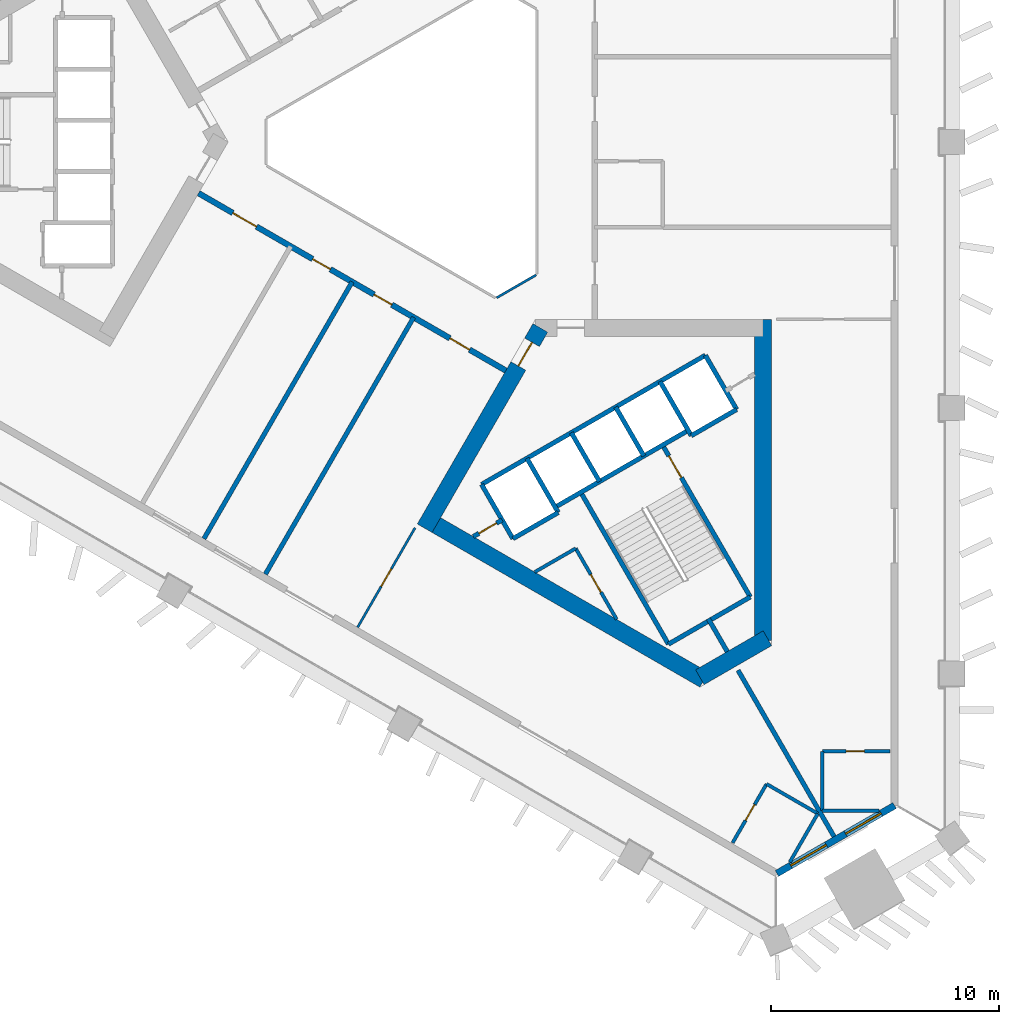
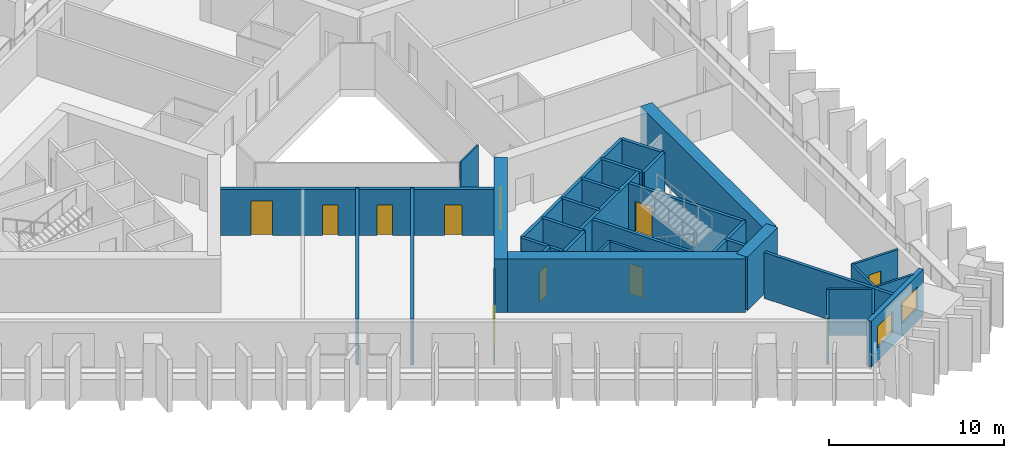
# One storey, part 3 of 11: 34 walls, 11 doors, 2 windows, 13 openings.
"""IFC4 building model written with IfcOpenShell, lengths in metres."""

from ifc_helpers import new_model, si_unit, direction, frame, frame_2d, origin, place, context, subcontext, project, spatial, rectangle, extrude, material, layer, layer_set, type_object, element, fill, save


model = new_model("IFC4")

# Units and contexts
model_context = context("Model", 3, precision=1e-05, world=origin(), true_north=direction((0.0, 1.0)))
body_context = subcontext(model_context, "Body", "Model", "MODEL_VIEW")
ifc_project = project(units=[si_unit("LENGTHUNIT", "METRE"), si_unit("AREAUNIT", "SQUARE_METRE"), si_unit("VOLUMEUNIT", "CUBIC_METRE"), si_unit("PLANEANGLEUNIT", "RADIAN"), si_unit("MASSUNIT", "GRAM", prefix="KILO")], contexts=[model_context])

# Site, building, storey
site_placement = place(None, origin())
site = spatial("IfcSite", under=ifc_project, at=site_placement, CompositionType="ELEMENT")
building_placement = place(site_placement, origin())
building = spatial("IfcBuilding", under=site, at=building_placement, Name="Jabali Bay Hotel Tower and Convention Centre", CompositionType="ELEMENT")
storey_placement = place(building_placement, frame((0.0, 0.0, 90.60009765625)))
storey = spatial("IfcBuildingStorey", under=building, at=storey_placement, Name="L21", CompositionType="ELEMENT", Elevation=90.60009765625)

# Walls
ifc_material_1 = material(Name="Fire-resistant glazing", Category="glass")
ifc_layer_1 = layer(ifc_material_1, 0.10009765625)
ifc_layer_set_1 = layer_set([ifc_layer_1], Name="Fire-resistant glazing")
wall_type_1 = type_object("IfcWallType", Name="Atrium glazed screen 100", PredefinedType="PARTITIONING", material=ifc_layer_set_1)
wall_1_placement = place(storey_placement, frame((77.7978515625, 73.15380859375, 0.0), z_axis=(0.0, 0.0, 1.0), x_axis=(0.866041268327, 0.499972520799, 0.0)))
element("IfcWall", 1, at=wall_1_placement, inside=storey, type_object=wall_type_1, Name="Atrium screen 6 L21", PredefinedType="PARTITIONING", context=body_context, shape_type="SweptSolid", body=[
    extrude(rectangle(XDim=2.0, YDim=0.10009765625, at=frame_2d((1.0, 0.0))), origin(), (0.0, 0.0, 1.0), 3.199951171875),
])
ifc_material_2 = material(Name="Concrete C40", Category="concrete")
ifc_layer_2 = layer(ifc_material_2, 0.199951171875)
ifc_layer_set_2 = layer_set([ifc_layer_2], Name="Concrete C40")
wall_type_2 = type_object("IfcWallType", Name="Core partition wall 200", PredefinedType="PARTITIONING", material=ifc_layer_set_2)
wall_2_placement = place(storey_placement, frame((87.090087890625, 59.0595703125, 0.0), z_axis=(0.0, 0.0, 1.0), x_axis=(0.499937194881, -0.866061661301, 0.0)))
element("IfcWall", 2, at=wall_2_placement, inside=storey, type_object=wall_type_2, Name="Core wall 2.5 L21", PredefinedType="PARTITIONING", context=body_context, shape_type="SweptSolid", body=[
    extrude(rectangle(XDim=1.673095703125, YDim=0.199951171875, at=frame_2d((0.83642578125, 0.0))), origin(), (0.0, 0.0, 1.0), 3.199951171875),
])

# Wall, opening, door
wall_3_placement = place(storey_placement, frame((76.77001953125, 62.662109375, 0.0), z_axis=(0.0, 0.0, 1.0), x_axis=(0.866054810376, 0.49994906283, 0.0)))
wall_3 = element("IfcWall", 3, at=wall_3_placement, inside=storey, type_object=wall_type_2, Name="Core wall 2.11 L21", PredefinedType="PARTITIONING", context=body_context, shape_type="SweptSolid", body=[
    extrude(rectangle(XDim=1.461181640625, YDim=0.199951171875, at=frame_2d((0.73046875, 0.0))), origin(), (0.0, 0.0, 1.0), 3.199951171875),
])
opening_1_placement = place(wall_3_placement, frame((0.280517578125, 0.0, 0.0)))
opening_1 = element("IfcOpeningElement", 4, at=opening_1_placement, cuts=wall_3, Name="Opening D507", PredefinedType="OPENING", context=body_context, shape_type="SweptSolid", body=[
    extrude(rectangle(XDim=0.89990234375, YDim=2.10009765625, at=frame_2d((0.449951171875, 1.050048828125))), frame((0.0, 0.1103515625, 0.0), z_axis=(0.0, -1.0, 0.0), x_axis=(1.0, 0.0, 0.0)), (0.0, 0.0, 1.0), 0.220947265625),
])
ifc_material_3 = material(Name="Fire-rated steel door", Category="steel")
door_type_1 = type_object("IfcDoorType", Name="Vestibule fire door 900 x 2100", OperationType="NOTDEFINED", PredefinedType="NOTDEFINED", material=ifc_material_3)
door_1_placement = place(opening_1_placement, origin())
door_1 = element("IfcDoor", 5, at=door_1_placement, inside=storey, type_object=door_type_1, Name="Vestibule fire door D507", OperationType="SINGLE_SWING_LEFT", OverallHeight=2.10009765625, OverallWidth=0.89990234375, PredefinedType="NOTDEFINED", context=body_context, shape_type="SweptSolid", body=[
    extrude(rectangle(XDim=0.89990234375, YDim=2.10009765625, at=frame_2d((0.449951171875, 1.050048828125))), frame((0.0, 0.02490234375, 0.0), z_axis=(0.0, -1.0, 0.0), x_axis=(1.0, 0.0, 0.0)), (0.0, 0.0, 1.0), 0.050048828125),
])
fill(opening_1, door_1)

ifc_material_4 = material(Name="Fire-rated board partition")
ifc_layer_3 = layer(ifc_material_4, 0.14990234375)
ifc_layer_set_3 = layer_set([ifc_layer_3], Name="Fire-rated board partition")
wall_type_3 = type_object("IfcWallType", Name="Core room partition 150", PredefinedType="PARTITIONING", material=ifc_layer_set_3)
wall_4_placement = place(storey_placement, frame((81.268798828125, 62.141845703125, 0.0), z_axis=(0.0, 0.0, 1.0), x_axis=(0.500043557135, -0.866000254601, 0.0)))
wall_4 = element("IfcWall", 6, at=wall_4_placement, inside=storey, type_object=wall_type_3, Name="Core wall 2.1 L21", PredefinedType="PARTITIONING", context=body_context, shape_type="SweptSolid", body=[
    extrude(rectangle(XDim=3.597900390625, YDim=0.14990234375, at=frame_2d((1.798828125, 0.0))), origin(), (0.0, 0.0, 1.0), 3.199951171875),
])
opening_2_placement = place(wall_4_placement, frame((1.321533203125, 0.0, 0.0)))
opening_2 = element("IfcOpeningElement", 7, at=opening_2_placement, cuts=wall_4, Name="Opening D509", PredefinedType="OPENING", context=body_context, shape_type="SweptSolid", body=[
    extrude(rectangle(XDim=0.89990234375, YDim=2.10009765625, at=frame_2d((0.449951171875, 1.050048828125))), frame((0.0, 0.08544921875, 0.0), z_axis=(0.0, -1.0, 0.0), x_axis=(1.0, 0.0, 0.0)), (0.0, 0.0, 1.0), 0.1708984375),
])
door_type_2 = type_object("IfcDoorType", Name="Core room door 900 x 2100", OperationType="NOTDEFINED", PredefinedType="NOTDEFINED", material=ifc_material_3)
door_2_placement = place(opening_2_placement, origin())
door_2 = element("IfcDoor", 8, at=door_2_placement, inside=storey, type_object=door_type_2, Name="Core room door D509", OperationType="SINGLE_SWING_LEFT", OverallHeight=2.10009765625, OverallWidth=0.89990234375, PredefinedType="NOTDEFINED", context=body_context, shape_type="SweptSolid", body=[
    extrude(rectangle(XDim=0.89990234375, YDim=2.10009765625, at=frame_2d((0.449951171875, 1.050048828125))), frame((0.0, 0.02490234375, 0.0), z_axis=(0.0, -1.0, 0.0), x_axis=(1.0, 0.0, 0.0)), (0.0, 0.0, 1.0), 0.050048828125),
])
fill(opening_2, door_2)

# Walls
wall_5_placement = place(storey_placement, frame((79.469970703125, 61.103271484375, 0.0), z_axis=(0.0, 0.0, 1.0), x_axis=(0.866021168401, 0.500007335828, 0.0)))
element("IfcWall", 9, at=wall_5_placement, inside=storey, type_object=wall_type_3, Name="Core wall 2.16 L21", PredefinedType="PARTITIONING", context=body_context, shape_type="SweptSolid", body=[
    extrude(rectangle(XDim=2.0771484375, YDim=0.14990234375, at=frame_2d((1.03857421875, 0.0))), origin(), (0.0, 0.0, 1.0), 3.199951171875),
])
ifc_layer_4 = layer(ifc_material_2, 0.199951171875)
ifc_layer_set_4 = layer_set([ifc_layer_4], Name="Concrete C40")
wall_type_4 = type_object("IfcWallType", Name="Core stair wall 200", PredefinedType="SOLIDWALL", material=ifc_layer_set_4)
for number, where, z_axis, x_axis, name in (
    (10, (77.13525390625, 64.95166015625, 0.0), (0.0, 0.0, 1.0), (0.499996545922, -0.866027397988, 0.0), "Core wall 2.0 L21"),
    (11, (79.127197265625, 66.1015625, 0.0), (0.0, 0.0, 1.0), (0.499996545922, -0.866027397988, 0.0), "Core wall 2.2 L21"),
):
    element("IfcWall", number, at=place(storey_placement, frame(where, z_axis=z_axis, x_axis=x_axis)), inside=storey, type_object=wall_type_4, Name=name, PredefinedType="SOLIDWALL", context=body_context, shape_type="SweptSolid", body=[
        extrude(rectangle(XDim=2.75, YDim=0.199951171875, at=frame_2d((1.375, 0.0))), origin(), (0.0, 0.0, 1.0), 3.199951171875),
    ])
wall_6_placement = place(storey_placement, frame((81.492919921875, 64.603759765625, 0.0), z_axis=(0.0, 0.0, 1.0), x_axis=(0.500006057782, -0.866021906294, 0.0)))
element("IfcWall", 12, at=wall_6_placement, inside=storey, type_object=wall_type_4, Name="Core wall 2.3 L21", PredefinedType="SOLIDWALL", context=body_context, shape_type="SweptSolid", body=[
    extrude(rectangle(XDim=7.7001953125, YDim=0.199951171875, at=frame_2d((3.85009765625, 0.0))), origin(), (0.0, 0.0, 1.0), 3.199951171875),
])
for number, where, z_axis, x_axis, name in (
    (13, (81.07568359375, 67.2265625, 0.0), (0.0, 0.0, 1.0), (0.50000366821, -0.866023285932, 0.0), "Core wall 2.4 L21"),
    (14, (83.024169921875, 68.3515625, 0.0), (0.0, 0.0, 1.0), (0.50000366821, -0.866023285932, 0.0), "Core wall 2.6 L21"),
):
    element("IfcWall", number, at=place(storey_placement, frame(where, z_axis=z_axis, x_axis=x_axis)), inside=storey, type_object=wall_type_4, Name=name, PredefinedType="SOLIDWALL", context=body_context, shape_type="SweptSolid", body=[
        extrude(rectangle(XDim=2.47998046875, YDim=0.199951171875, at=frame_2d((1.239990234375, 0.0))), origin(), (0.0, 0.0, 1.0), 3.199951171875),
    ])

# Wall, opening, door
wall_7_placement = place(storey_placement, frame((85.0869140625, 66.6787109375, 0.0), z_axis=(0.0, 0.0, 1.0), x_axis=(0.500019787375, -0.866013979237, 0.0)))
wall_7 = element("IfcWall", 15, at=wall_7_placement, inside=storey, type_object=wall_type_4, Name="Core wall 2.7 L21", PredefinedType="SOLIDWALL", context=body_context, shape_type="SweptSolid", body=[
    extrude(rectangle(XDim=7.699951171875, YDim=0.199951171875, at=frame_2d((3.85009765625, 0.0))), origin(), (0.0, 0.0, 1.0), 3.199951171875),
])
opening_3_placement = place(wall_7_placement, frame((0.550048828125, 0.0, 0.0)))
opening_3 = element("IfcOpeningElement", 16, at=opening_3_placement, cuts=wall_7, Name="Opening D508", PredefinedType="OPENING", context=body_context, shape_type="SweptSolid", body=[
    extrude(rectangle(XDim=1.10009765625, YDim=2.10009765625, at=frame_2d((0.550048828125, 1.050048828125))), frame((0.0, 0.1103515625, 0.0), z_axis=(0.0, -1.0, 0.0), x_axis=(1.0, 0.0, 0.0)), (0.0, 0.0, 1.0), 0.220947265625),
])
door_type_3 = type_object("IfcDoorType", Name="Stair fire door 1100 x 2100", OperationType="NOTDEFINED", PredefinedType="NOTDEFINED", material=ifc_material_3)
door_3_placement = place(opening_3_placement, origin())
door_3 = element("IfcDoor", 17, at=door_3_placement, inside=storey, type_object=door_type_3, Name="Stair fire door D508", OperationType="SINGLE_SWING_RIGHT", OverallHeight=2.10009765625, OverallWidth=1.10009765625, PredefinedType="NOTDEFINED", context=body_context, shape_type="SweptSolid", body=[
    extrude(rectangle(XDim=1.10009765625, YDim=2.10009765625, at=frame_2d((0.550048828125, 1.050048828125))), frame((0.0, 0.02490234375, 0.0), z_axis=(0.0, -1.0, 0.0), x_axis=(1.0, 0.0, 0.0)), (0.0, 0.0, 1.0), 0.050048828125),
])
fill(opening_3, door_3)

# Walls
for number, where, z_axis, x_axis, name in (
    (18, (84.972900390625, 69.4765625, 0.0), (0.0, 0.0, 1.0), (0.499996545922, -0.866027397988, 0.0), "Core wall 2.8 L21"),
    (19, (86.964599609375, 70.62646484375, 0.0), (0.0, 0.0, 1.0), (0.499996545922, -0.866027397988, 0.0), "Core wall 2.9 L21"),
):
    element("IfcWall", number, at=place(storey_placement, frame(where, z_axis=z_axis, x_axis=x_axis)), inside=storey, type_object=wall_type_4, Name=name, PredefinedType="SOLIDWALL", context=body_context, shape_type="SweptSolid", body=[
        extrude(rectangle(XDim=2.75, YDim=0.199951171875, at=frame_2d((1.375, 0.0))), origin(), (0.0, 0.0, 1.0), 3.199951171875),
    ])
wall_8_placement = place(storey_placement, frame((77.13525390625, 64.95166015625, 0.0), z_axis=(0.0, 0.0, 1.0), x_axis=(0.866031916153, 0.499988720078, 0.0)))
element("IfcWall", 20, at=wall_8_placement, inside=storey, type_object=wall_type_4, Name="Core wall 2.10 L21", PredefinedType="SOLIDWALL", context=body_context, shape_type="SweptSolid", body=[
    extrude(rectangle(XDim=11.349853515625, YDim=0.199951171875, at=frame_2d((5.6748046875, 0.0))), origin(), (0.0, 0.0, 1.0), 3.199951171875),
])
wall_9_placement = place(storey_placement, frame((80.3671875, 63.953857421875, 0.0), z_axis=(0.0, 0.0, 1.0), x_axis=(0.866026575979, 0.499997969693, 0.0)))
element("IfcWall", 21, at=wall_9_placement, inside=storey, type_object=wall_type_4, Name="Core wall 2.13 L21", PredefinedType="SOLIDWALL", context=body_context, shape_type="SweptSolid", body=[
    extrude(rectangle(XDim=6.75, YDim=0.199951171875, at=frame_2d((3.375, 0.0))), origin(), (0.0, 0.0, 1.0), 3.199951171875),
])
wall_10_placement = place(storey_placement, frame((78.51025390625, 62.570068359375, 0.0), z_axis=(0.0, 0.0, 1.0), x_axis=(0.866053019151, 0.499952165731, 0.0)))
element("IfcWall", 22, at=wall_10_placement, inside=storey, type_object=wall_type_4, Name="Core wall 2.14 L21", PredefinedType="SOLIDWALL", context=body_context, shape_type="SweptSolid", body=[
    extrude(rectangle(XDim=2.300048828125, YDim=0.199951171875, at=frame_2d((1.14990234375, 0.0))), origin(), (0.0, 0.0, 1.0), 3.199951171875),
])
wall_11_placement = place(storey_placement, frame((86.347900390625, 67.094970703125, 0.0), z_axis=(0.0, 0.0, 1.0), x_axis=(0.86602648383, 0.499998129301, 0.0)))
element("IfcWall", 23, at=wall_11_placement, inside=storey, type_object=wall_type_4, Name="Core wall 2.15 L21", PredefinedType="SOLIDWALL", context=body_context, shape_type="SweptSolid", body=[
    extrude(rectangle(XDim=2.2998046875, YDim=0.199951171875, at=frame_2d((1.14990234375, 0.0))), origin(), (0.0, 0.0, 1.0), 3.199951171875),
])
wall_12_placement = place(storey_placement, frame((85.343017578125, 57.935302734375, 0.0), z_axis=(0.0, 0.0, 1.0), x_axis=(0.866004344652, 0.500036473714, 0.0)))
element("IfcWall", 24, at=wall_12_placement, inside=storey, type_object=wall_type_4, Name="Core wall 2.17 L21", PredefinedType="SOLIDWALL", context=body_context, shape_type="SweptSolid", body=[
    extrude(rectangle(XDim=4.150146484375, YDim=0.199951171875, at=frame_2d((2.0751953125, 0.0))), origin(), (0.0, 0.0, 1.0), 3.199951171875),
])

# Wall, opening, door
ifc_material_5 = material(Name="Concrete C60", Category="concrete")
ifc_layer_5 = layer(ifc_material_5, 0.75)
ifc_layer_set_5 = layer_set([ifc_layer_5], Name="Concrete C60")
wall_type_5 = type_object("IfcWallType", Name="Core wall 750", PredefinedType="SHEAR", material=ifc_layer_set_5)
wall_13_placement = place(storey_placement, frame((79.716552734375, 71.830810546875, 0.0), z_axis=(0.0, 0.0, 1.0), x_axis=(-0.499996230114, -0.866027580318, 0.0)))
wall_13 = element("IfcWall", 25, at=wall_13_placement, inside=storey, type_object=wall_type_5, Name="Core wall 3.1 L21", PredefinedType="SHEAR", context=body_context, shape_type="SweptSolid", body=[
    extrude(rectangle(XDim=10.16357421875, YDim=0.75, at=frame_2d((5.081787109375, 0.0))), origin(), (0.0, 0.0, 1.0), 3.699951171875),
])
opening_4_placement = place(wall_13_placement, frame((0.7333984375, 0.0, 0.0)))
opening_4 = element("IfcOpeningElement", 26, at=opening_4_placement, cuts=wall_13, Name="Opening D504", PredefinedType="OPENING", context=body_context, shape_type="SweptSolid", body=[
    extrude(rectangle(XDim=1.199951171875, YDim=2.10009765625, at=frame_2d((0.60009765625, 1.050048828125))), frame((0.0, 0.385498046875, 0.0), z_axis=(0.0, -1.0, 0.0), x_axis=(1.0, 0.0, 0.0)), (0.0, 0.0, 1.0), 0.77099609375),
])
door_type_4 = type_object("IfcDoorType", Name="Corridor end fire door 1200 x 2100", OperationType="NOTDEFINED", PredefinedType="NOTDEFINED", material=ifc_material_3)
door_4_placement = place(opening_4_placement, origin())
door_4 = element("IfcDoor", 27, at=door_4_placement, inside=storey, type_object=door_type_4, Name="Corridor end fire door D504", OperationType="SINGLE_SWING_RIGHT", OverallHeight=2.10009765625, OverallWidth=1.199951171875, PredefinedType="NOTDEFINED", context=body_context, shape_type="SweptSolid", body=[
    extrude(rectangle(XDim=1.199951171875, YDim=2.10009765625, at=frame_2d((0.60009765625, 1.050048828125))), frame((0.0, 0.02490234375, 0.0), z_axis=(0.0, -1.0, 0.0), x_axis=(1.0, 0.0, 0.0)), (0.0, 0.0, 1.0), 0.050048828125),
])
fill(opening_4, door_4)

# Walls
wall_14_placement = place(storey_placement, frame((74.822265625, 63.353759765625, 0.0), z_axis=(0.0, 0.0, 1.0), x_axis=(0.8660248072, -0.500001033313, 0.0)))
element("IfcWall", 28, at=wall_14_placement, inside=storey, type_object=wall_type_5, Name="Core wall 3.2 L21", PredefinedType="SHEAR", context=body_context, shape_type="SweptSolid", body=[
    extrude(rectangle(XDim=13.95849609375, YDim=0.75, at=frame_2d((6.979248046875, 0.0))), origin(), (0.0, 0.0, 1.0), 3.699951171875),
])
wall_15_placement = place(storey_placement, frame((86.72314453125, 56.482666015625, 0.0), z_axis=(0.0, 0.0, 1.0), x_axis=(0.866017201164, 0.500014207086, 0.0)))
element("IfcWall", 29, at=wall_15_placement, inside=storey, type_object=wall_type_5, Name="Core wall 3.3 L21", PredefinedType="SHEAR", context=body_context, shape_type="SweptSolid", body=[
    extrude(rectangle(XDim=3.4287109375, YDim=0.75, at=frame_2d((1.71435546875, 0.0))), origin(), (0.0, 0.0, 1.0), 3.699951171875),
])
wall_16_placement = place(storey_placement, frame((89.5048828125, 58.0888671875, 0.0), z_axis=(0.0, 0.0, 1.0), x_axis=(0.0, 1.0, 0.0)))
element("IfcWall", 30, at=wall_16_placement, inside=storey, type_object=wall_type_5, Name="Core wall 3.4 L21", PredefinedType="SHEAR", context=body_context, shape_type="SweptSolid", body=[
    extrude(rectangle(XDim=14.116943359375, YDim=0.75, at=frame_2d((7.05859375, 0.0))), origin(), (0.0, 0.0, 1.0), 3.699951171875),
])

# Wall, openings, doors
ifc_layer_6 = layer(ifc_material_5, 0.25)
ifc_layer_set_6 = layer_set([ifc_layer_6], Name="Concrete C60")
wall_type_6 = type_object("IfcWallType", Name="Corridor wall 250", PredefinedType="SHEAR", material=ifc_layer_set_6)
wall_17_placement = place(storey_placement, frame((64.699951171875, 77.748291015625, 0.0), z_axis=(0.0, 0.0, 1.0), x_axis=(0.866026492143, -0.499998114903, 0.0)))
wall_17 = element("IfcWall", 31, at=wall_17_placement, inside=storey, type_object=wall_type_6, Name="Corridor wall 3 L21", PredefinedType="SHEAR", context=body_context, shape_type="SweptSolid", body=[
    extrude(rectangle(XDim=15.58837890625, YDim=0.25, at=frame_2d((7.794189453125, 0.0))), origin(), (0.0, 0.0, 1.0), 3.199951171875),
])
opening_5_placement = place(wall_17_placement, frame((1.73828125, 0.0, 0.0)))
opening_5 = element("IfcOpeningElement", 32, at=opening_5_placement, cuts=wall_17, Name="Opening 2116", PredefinedType="OPENING", context=body_context, shape_type="SweptSolid", body=[
    extrude(rectangle(XDim=1.199951171875, YDim=2.39990234375, at=frame_2d((0.60009765625, 1.199951171875))), frame((0.0, 0.135498046875, 0.0), z_axis=(0.0, -1.0, 0.0), x_axis=(1.0, 0.0, 0.0)), (0.0, 0.0, 1.0), 0.27099609375),
])
opening_6_placement = place(wall_17_placement, frame((5.785400390625, 0.0, 0.0)))
opening_6 = element("IfcOpeningElement", 33, at=opening_6_placement, cuts=wall_17, Name="Opening 2117", PredefinedType="OPENING", context=body_context, shape_type="SweptSolid", body=[
    extrude(rectangle(XDim=0.89990234375, YDim=2.10009765625, at=frame_2d((0.449951171875, 1.050048828125))), frame((0.0, 0.135498046875, 0.0), z_axis=(0.0, -1.0, 0.0), x_axis=(1.0, 0.0, 0.0)), (0.0, 0.0, 1.0), 0.27099609375),
])
opening_7_placement = place(wall_17_placement, frame((8.903076171875, 0.0, 0.0)))
opening_7 = element("IfcOpeningElement", 34, at=opening_7_placement, cuts=wall_17, Name="Opening 2118", PredefinedType="OPENING", context=body_context, shape_type="SweptSolid", body=[
    extrude(rectangle(XDim=0.89990234375, YDim=2.10009765625, at=frame_2d((0.449951171875, 1.050048828125))), frame((0.0, 0.135498046875, 0.0), z_axis=(0.0, -1.0, 0.0), x_axis=(1.0, 0.0, 0.0)), (0.0, 0.0, 1.0), 0.27099609375),
])
opening_8_placement = place(wall_17_placement, frame((12.750244140625, 0.0, 0.0)))
opening_8 = element("IfcOpeningElement", 35, at=opening_8_placement, cuts=wall_17, Name="Opening 2119", PredefinedType="OPENING", context=body_context, shape_type="SweptSolid", body=[
    extrude(rectangle(XDim=1.0, YDim=2.10009765625, at=frame_2d((0.5, 1.050048828125))), frame((0.0, 0.135498046875, 0.0), z_axis=(0.0, -1.0, 0.0), x_axis=(1.0, 0.0, 0.0)), (0.0, 0.0, 1.0), 0.27099609375),
])
ifc_material_6 = material(Name="Timber", Category="wood")
door_type_5 = type_object("IfcDoorType", Name="Guest room door 1000 x 2100", OperationType="NOTDEFINED", PredefinedType="NOTDEFINED", material=ifc_material_6)
door_5_placement = place(opening_8_placement, origin())
door_5 = element("IfcDoor", 36, at=door_5_placement, inside=storey, type_object=door_type_5, Name="Door 2119", OperationType="SINGLE_SWING_RIGHT", OverallHeight=2.10009765625, OverallWidth=1.0, PredefinedType="NOTDEFINED", context=body_context, shape_type="SweptSolid", body=[
    extrude(rectangle(XDim=1.0, YDim=2.10009765625, at=frame_2d((0.5, 1.050048828125))), frame((0.0, 0.02490234375, 0.0), z_axis=(0.0, -1.0, 0.0), x_axis=(1.0, 0.0, 0.0)), (0.0, 0.0, 1.0), 0.050048828125),
])
fill(opening_8, door_5)
door_type_6 = type_object("IfcDoorType", Name="Internal door 900 x 2100", OperationType="NOTDEFINED", PredefinedType="NOTDEFINED", material=ifc_material_6)
door_6_placement = place(opening_6_placement, origin())
door_6 = element("IfcDoor", 37, at=door_6_placement, inside=storey, type_object=door_type_6, Name="Door 2117", OperationType="SINGLE_SWING_LEFT", OverallHeight=2.10009765625, OverallWidth=0.89990234375, PredefinedType="NOTDEFINED", context=body_context, shape_type="SweptSolid", body=[
    extrude(rectangle(XDim=0.89990234375, YDim=2.10009765625, at=frame_2d((0.449951171875, 1.050048828125))), frame((0.0, 0.02490234375, 0.0), z_axis=(0.0, -1.0, 0.0), x_axis=(1.0, 0.0, 0.0)), (0.0, 0.0, 1.0), 0.050048828125),
])
fill(opening_6, door_6)
door_7_placement = place(opening_7_placement, origin())
door_7 = element("IfcDoor", 38, at=door_7_placement, inside=storey, type_object=door_type_6, Name="Door 2118", OperationType="SINGLE_SWING_RIGHT", OverallHeight=2.10009765625, OverallWidth=0.89990234375, PredefinedType="NOTDEFINED", context=body_context, shape_type="SweptSolid", body=[
    extrude(rectangle(XDim=0.89990234375, YDim=2.10009765625, at=frame_2d((0.449951171875, 1.050048828125))), frame((0.0, 0.02490234375, 0.0), z_axis=(0.0, -1.0, 0.0), x_axis=(1.0, 0.0, 0.0)), (0.0, 0.0, 1.0), 0.050048828125),
])
fill(opening_7, door_7)
door_type_7 = type_object("IfcDoorType", Name="Public room door 1200 x 2400", OperationType="NOTDEFINED", PredefinedType="NOTDEFINED", material=ifc_material_6)
door_8_placement = place(opening_5_placement, origin())
door_8 = element("IfcDoor", 39, at=door_8_placement, inside=storey, type_object=door_type_7, Name="Door 2116", OperationType="SINGLE_SWING_LEFT", OverallHeight=2.39990234375, OverallWidth=1.199951171875, PredefinedType="NOTDEFINED", context=body_context, shape_type="SweptSolid", body=[
    extrude(rectangle(XDim=1.199951171875, YDim=2.39990234375, at=frame_2d((0.60009765625, 1.199951171875))), frame((0.0, 0.02490234375, 0.0), z_axis=(0.0, -1.0, 0.0), x_axis=(1.0, 0.0, 0.0)), (0.0, 0.0, 1.0), 0.050048828125),
])
fill(opening_5, door_8)

# Wall, openings, windows
ifc_layer_7 = layer(ifc_material_2, 0.300048828125)
ifc_layer_set_7 = layer_set([ifc_layer_7], Name="Concrete C40")
wall_type_7 = type_object("IfcWallType", Name="External wall 300", PredefinedType="SOLIDWALL", material=ifc_layer_set_7)
wall_18_placement = place(storey_placement, frame((95.276611328125, 50.846435546875, 0.0), z_axis=(0.0, 0.0, 1.0), x_axis=(-0.866008413041, -0.500029427677, 0.0)))
wall_18 = element("IfcWall", 40, at=wall_18_placement, inside=storey, type_object=wall_type_7, Name="External wall south-east chamfer L21", PredefinedType="SOLIDWALL", context=body_context, shape_type="SweptSolid", body=[
    extrude(rectangle(XDim=5.966552734375, YDim=0.300048828125, at=frame_2d((2.9833984375, 0.0))), origin(), (0.0, 0.0, 1.0), 3.199951171875),
])
opening_9_placement = place(wall_18_placement, frame((0.682373046875, 0.0, 0.89990234375)))
opening_9 = element("IfcOpeningElement", 41, at=opening_9_placement, cuts=wall_18, Name="Opening W1", PredefinedType="OPENING", context=body_context, shape_type="SweptSolid", body=[
    extrude(rectangle(XDim=1.800048828125, YDim=1.5, at=frame_2d((0.89990234375, 0.75))), frame((0.0, 0.16064453125, 0.0), z_axis=(0.0, -1.0, 0.0), x_axis=(1.0, 0.0, 0.0)), (0.0, 0.0, 1.0), 0.321044921875),
])
opening_10_placement = place(wall_18_placement, frame((3.46484375, 0.0, 0.89990234375)))
opening_10 = element("IfcOpeningElement", 42, at=opening_10_placement, cuts=wall_18, Name="Opening W1", PredefinedType="OPENING", context=body_context, shape_type="SweptSolid", body=[
    extrude(rectangle(XDim=1.800048828125, YDim=1.5, at=frame_2d((0.89990234375, 0.75))), frame((0.0, 0.16064453125, 0.0), z_axis=(0.0, -1.0, 0.0), x_axis=(1.0, 0.0, 0.0)), (0.0, 0.0, 1.0), 0.321044921875),
])
ifc_material_7 = material(Name="Glass", Category="glass")
window_type = type_object("IfcWindowType", Name="Window 1800 x 1500", PartitioningType="SINGLE_PANEL", PredefinedType="WINDOW", material=ifc_material_7)
window_1_placement = place(opening_9_placement, origin())
window_1 = element("IfcWindow", 43, at=window_1_placement, inside=storey, type_object=window_type, Name="Window 2101", OverallHeight=1.5, OverallWidth=1.800048828125, PartitioningType="SINGLE_PANEL", PredefinedType="WINDOW", context=body_context, shape_type="SweptSolid", body=[
    extrude(rectangle(XDim=1.800048828125, YDim=1.5, at=frame_2d((0.89990234375, 0.75))), frame((0.0, 0.030029296875, 0.0), z_axis=(0.0, -1.0, 0.0), x_axis=(1.0, 0.0, 0.0)), (0.0, 0.0, 1.0), 0.06005859375),
])
fill(opening_9, window_1)
window_2_placement = place(opening_10_placement, origin())
window_2 = element("IfcWindow", 44, at=window_2_placement, inside=storey, type_object=window_type, Name="Window 2109", OverallHeight=1.5, OverallWidth=1.800048828125, PartitioningType="SINGLE_PANEL", PredefinedType="WINDOW", context=body_context, shape_type="SweptSolid", body=[
    extrude(rectangle(XDim=1.800048828125, YDim=1.5, at=frame_2d((0.89990234375, 0.75))), frame((0.0, 0.030029296875, 0.0), z_axis=(0.0, -1.0, 0.0), x_axis=(1.0, 0.0, 0.0)), (0.0, 0.0, 1.0), 0.06005859375),
])
fill(opening_10, window_2)

# Wall, opening, door
ifc_material_8 = material(Name="Plasterboard on steel stud", Category="steel")
ifc_layer_8 = layer(ifc_material_8, 0.10009765625)
ifc_layer_set_8 = layer_set([ifc_layer_8], Name="Plasterboard on steel stud")
wall_type_8 = type_object("IfcWallType", Name="Partition 100 unit", PredefinedType="PARTITIONING", material=ifc_layer_set_8)
wall_19_placement = place(storey_placement, frame((71.686279296875, 58.671875, 0.0), z_axis=(0.0, 0.0, 1.0), x_axis=(0.49997221919, 0.866041442448, 0.0)))
wall_19 = element("IfcWall", 45, at=wall_19_placement, inside=storey, type_object=wall_type_8, Name="Partition P02 L21 030", PredefinedType="PARTITIONING", context=body_context, shape_type="SweptSolid", body=[
    extrude(rectangle(XDim=5.048583984375, YDim=0.10009765625, at=frame_2d((2.5244140625, 0.0))), origin(), (0.0, 0.0, 1.0), 3.199951171875),
])
opening_11_placement = place(wall_19_placement, frame((2.073974609375, 0.0, 0.0)))
opening_11 = element("IfcOpeningElement", 46, at=opening_11_placement, cuts=wall_19, Name="Opening 2120", PredefinedType="OPENING", context=body_context, shape_type="SweptSolid", body=[
    extrude(rectangle(XDim=0.89990234375, YDim=2.10009765625, at=frame_2d((0.449951171875, 1.050048828125))), frame((0.0, 0.060546875, 0.0), z_axis=(0.0, -1.0, 0.0), x_axis=(1.0, 0.0, 0.0)), (0.0, 0.0, 1.0), 0.12109375),
])
door_9_placement = place(opening_11_placement, origin())
door_9 = element("IfcDoor", 47, at=door_9_placement, inside=storey, type_object=door_type_6, Name="Door 2120", OperationType="SINGLE_SWING_LEFT", OverallHeight=2.10009765625, OverallWidth=0.89990234375, PredefinedType="NOTDEFINED", context=body_context, shape_type="SweptSolid", body=[
    extrude(rectangle(XDim=0.89990234375, YDim=2.10009765625, at=frame_2d((0.449951171875, 1.050048828125))), frame((0.0, 0.02490234375, 0.0), z_axis=(0.0, -1.0, 0.0), x_axis=(1.0, 0.0, 0.0)), (0.0, 0.0, 1.0), 0.050048828125),
])
fill(opening_11, door_9)

# Walls
ifc_layer_9 = layer(ifc_material_8, 0.14990234375)
ifc_layer_set_9 = layer_set([ifc_layer_9], Name="Plasterboard on steel stud")
wall_type_9 = type_object("IfcWallType", Name="Partition 150 wet", PredefinedType="PARTITIONING", material=ifc_layer_set_9)
wall_20_placement = place(storey_placement, frame((94.594970703125, 50.624755859375, 0.0), z_axis=(0.0, 0.0, 1.0), x_axis=(-1.0, 0.0, 0.0)))
element("IfcWall", 48, at=wall_20_placement, inside=storey, type_object=wall_type_9, Name="Partition P03 L21 004", PredefinedType="PARTITIONING", context=body_context, shape_type="SweptSolid", body=[
    extrude(rectangle(XDim=2.493408203125, YDim=0.14990234375, at=frame_2d((1.24658203125, 0.0))), origin(), (0.0, 0.0, 1.0), 3.199951171875),
])
wall_21_placement = place(storey_placement, frame((92.1015625, 50.624755859375, 0.0), z_axis=(0.0, 0.0, 1.0), x_axis=(0.0, 1.0, 0.0)))
element("IfcWall", 49, at=wall_21_placement, inside=storey, type_object=wall_type_9, Name="Partition P03 L21 005", PredefinedType="PARTITIONING", context=body_context, shape_type="SweptSolid", body=[
    extrude(rectangle(XDim=2.60009765625, YDim=0.14990234375, at=frame_2d((1.300048828125, 0.0))), origin(), (0.0, 0.0, 1.0), 3.199951171875),
])

# Wall, opening, door
wall_22_placement = place(storey_placement, frame((92.1015625, 53.224853515625, 0.0), z_axis=(0.0, 0.0, 1.0), x_axis=(1.0, 0.0, 0.0)))
wall_22 = element("IfcWall", 50, at=wall_22_placement, inside=storey, type_object=wall_type_9, Name="Partition P03 L21 006", PredefinedType="PARTITIONING", context=body_context, shape_type="SweptSolid", body=[
    extrude(rectangle(XDim=2.985107421875, YDim=0.14990234375, at=frame_2d((1.49267578125, 0.0))), origin(), (0.0, 0.0, 1.0), 3.199951171875),
])
opening_12_placement = place(wall_22_placement, frame((1.050048828125, 0.0, 0.0)))
opening_12 = element("IfcOpeningElement", 51, at=opening_12_placement, cuts=wall_22, Name="Opening 2103", PredefinedType="OPENING", context=body_context, shape_type="SweptSolid", body=[
    extrude(rectangle(XDim=0.800048828125, YDim=2.10009765625, at=frame_2d((0.39990234375, 1.050048828125))), frame((0.0, 0.08544921875, 0.0), z_axis=(0.0, -1.0, 0.0), x_axis=(1.0, 0.0, 0.0)), (0.0, 0.0, 1.0), 0.1708984375),
])
door_type_8 = type_object("IfcDoorType", Name="En-suite door 800 x 2100", OperationType="NOTDEFINED", PredefinedType="NOTDEFINED", material=ifc_material_6)
door_10_placement = place(opening_12_placement, origin())
door_10 = element("IfcDoor", 52, at=door_10_placement, inside=storey, type_object=door_type_8, Name="Door 2103", OperationType="SINGLE_SWING_RIGHT", OverallHeight=2.10009765625, OverallWidth=0.800048828125, PredefinedType="NOTDEFINED", context=body_context, shape_type="SweptSolid", body=[
    extrude(rectangle(XDim=0.800048828125, YDim=2.10009765625, at=frame_2d((0.39990234375, 1.050048828125))), frame((0.0, 0.02490234375, 0.0), z_axis=(0.0, -1.0, 0.0), x_axis=(1.0, 0.0, 0.0)), (0.0, 0.0, 1.0), 0.050048828125),
])
fill(opening_12, door_10)

wall_23_placement = place(storey_placement, frame((88.1611328125, 49.20751953125, 0.0), z_axis=(0.0, 0.0, 1.0), x_axis=(0.500062282582, 0.865989441933, 0.0)))
wall_23 = element("IfcWall", 53, at=wall_23_placement, inside=storey, type_object=wall_type_9, Name="Partition P03 L21 031", PredefinedType="PARTITIONING", context=body_context, shape_type="SweptSolid", body=[
    extrude(rectangle(XDim=2.98486328125, YDim=0.14990234375, at=frame_2d((1.492431640625, 0.0))), origin(), (0.0, 0.0, 1.0), 3.199951171875),
])
opening_13_placement = place(wall_23_placement, frame((1.135009765625, 0.0, 0.0)))
opening_13 = element("IfcOpeningElement", 54, at=opening_13_placement, cuts=wall_23, Name="Opening 2121", PredefinedType="OPENING", context=body_context, shape_type="SweptSolid", body=[
    extrude(rectangle(XDim=0.800048828125, YDim=2.10009765625, at=frame_2d((0.39990234375, 1.050048828125))), frame((0.0, 0.08544921875, 0.0), z_axis=(0.0, -1.0, 0.0), x_axis=(1.0, 0.0, 0.0)), (0.0, 0.0, 1.0), 0.1708984375),
])
door_11_placement = place(opening_13_placement, origin())
door_11 = element("IfcDoor", 55, at=door_11_placement, inside=storey, type_object=door_type_8, Name="Door 2121", OperationType="SINGLE_SWING_RIGHT", OverallHeight=2.10009765625, OverallWidth=0.800048828125, PredefinedType="NOTDEFINED", context=body_context, shape_type="SweptSolid", body=[
    extrude(rectangle(XDim=0.800048828125, YDim=2.10009765625, at=frame_2d((0.39990234375, 1.050048828125))), frame((0.0, 0.02490234375, 0.0), z_axis=(0.0, -1.0, 0.0), x_axis=(1.0, 0.0, 0.0)), (0.0, 0.0, 1.0), 0.050048828125),
])
fill(opening_13, door_11)

# Walls
wall_24_placement = place(storey_placement, frame((89.65380859375, 51.79248046875, 0.0), z_axis=(0.0, 0.0, 1.0), x_axis=(0.865997922154, -0.500047596559, 0.0)))
element("IfcWall", 56, at=wall_24_placement, inside=storey, type_object=wall_type_9, Name="Partition P03 L21 032", PredefinedType="PARTITIONING", context=body_context, shape_type="SweptSolid", body=[
    extrude(rectangle(XDim=2.599853515625, YDim=0.14990234375, at=frame_2d((1.2998046875, 0.0))), origin(), (0.0, 0.0, 1.0), 3.199951171875),
])
wall_25_placement = place(storey_placement, frame((91.9052734375, 50.492431640625, 0.0), z_axis=(0.0, 0.0, 1.0), x_axis=(-0.499960120811, -0.86604842682, 0.0)))
element("IfcWall", 57, at=wall_25_placement, inside=storey, type_object=wall_type_9, Name="Partition P03 L21 033", PredefinedType="PARTITIONING", context=body_context, shape_type="SweptSolid", body=[
    extrude(rectangle(XDim=2.460205078125, YDim=0.14990234375, at=frame_2d((1.22998046875, 0.0))), origin(), (0.0, 0.0, 1.0), 3.199951171875),
])
ifc_layer_10 = layer(ifc_material_8, 0.199951171875)
ifc_layer_set_10 = layer_set([ifc_layer_10], Name="Plasterboard on steel stud")
wall_type_10 = type_object("IfcWallType", Name="Partition 200 party", PredefinedType="PARTITIONING", material=ifc_layer_set_10)
wall_26_placement = place(storey_placement, frame((88.401123046875, 56.788818359375, 0.0), z_axis=(0.0, 0.0, 1.0), x_axis=(0.500002227119, -0.866024117953, 0.0)))
element("IfcWall", 58, at=wall_26_placement, inside=storey, type_object=wall_type_10, Name="Partition P01 L21 007", PredefinedType="PARTITIONING", context=body_context, shape_type="SweptSolid", body=[
    extrude(rectangle(XDim=8.43505859375, YDim=0.199951171875, at=frame_2d((4.217529296875, 0.0))), origin(), (0.0, 0.0, 1.0), 3.199951171875),
])
for number, where, z_axis, x_axis, name in (
    (59, (64.936279296875, 62.569091796875, 0.0), (0.0, 0.0, 1.0), (0.499992822802, 0.866029547502, 0.0), "Partition P01 L21 028"),
    (60, (67.63623046875, 61.01025390625, 0.0), (0.0, 0.0, 1.0), (0.499992822802, 0.866029547502, 0.0), "Partition P01 L21 029"),
):
    element("IfcWall", number, at=place(storey_placement, frame(where, z_axis=z_axis, x_axis=x_axis)), inside=storey, type_object=wall_type_10, Name=name, PredefinedType="PARTITIONING", context=body_context, shape_type="SweptSolid", body=[
        extrude(rectangle(XDim=13.027587890625, YDim=0.199951171875, at=frame_2d((6.513671875, 0.0))), origin(), (0.0, 0.0, 1.0), 3.199951171875),
    ])

save(model, "model.ifc")
